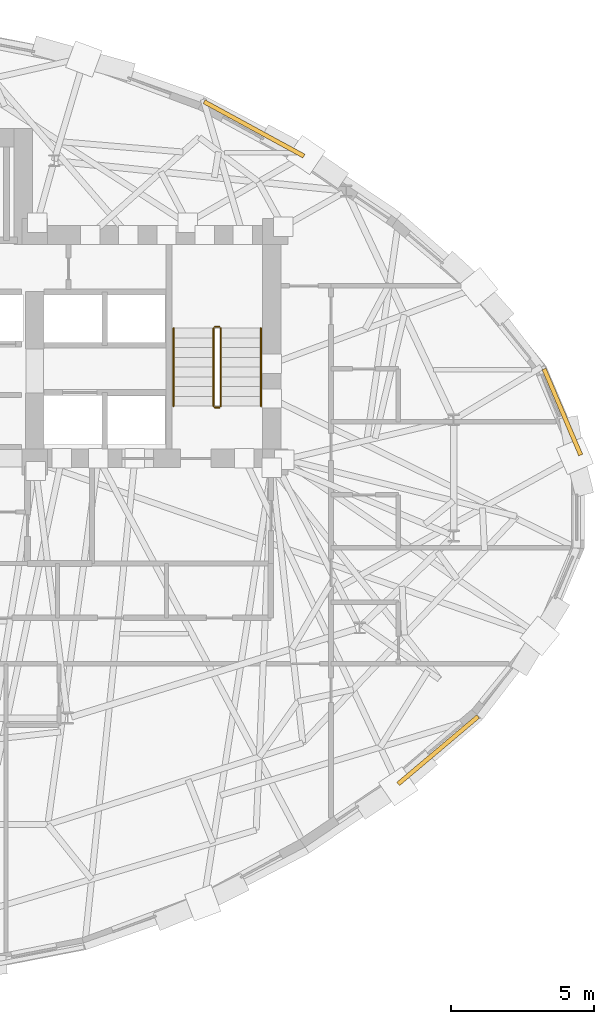
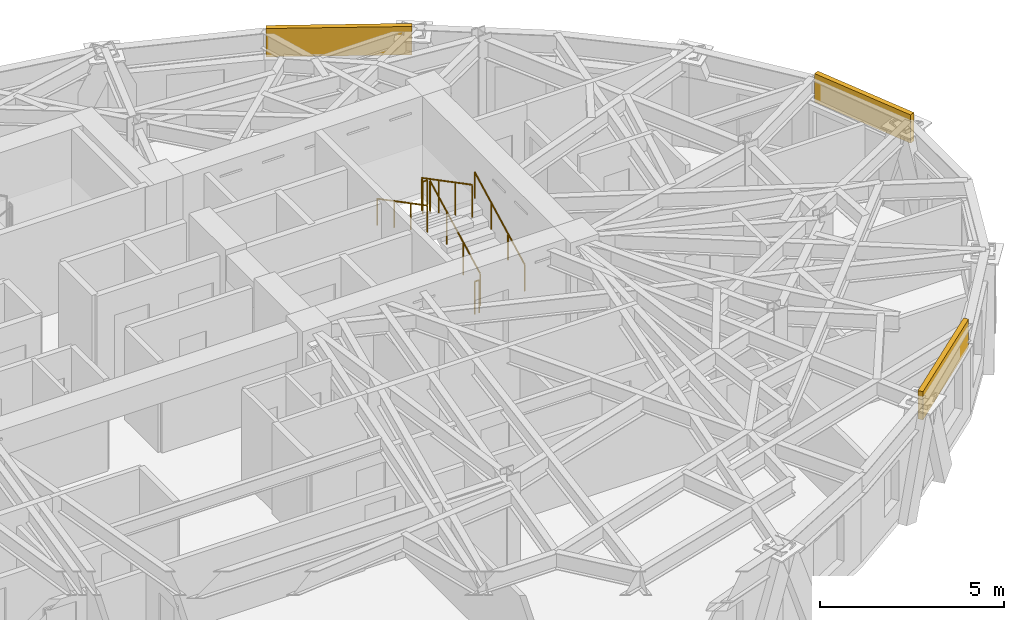
# One storey, part 13 of 14: 6 railings, 3 coverings.
"""IFC4 building model written with IfcOpenShell, lengths in metres."""

from ifc_helpers import new_model, si_unit, direction, frame, origin, origin_2d, place, context, subcontext, project, spatial, rectangle, circle, extrude, material, layer, layer_set, type_object, element, save


model = new_model("IFC4")

# Units and contexts
model_context = context("Model", 3, precision=1e-05, world=origin(), true_north=direction((0.0, 1.0)))
body_context = subcontext(model_context, "Body", "Model", "MODEL_VIEW")
ifc_project = project(units=[si_unit("LENGTHUNIT", "METRE"), si_unit("AREAUNIT", "SQUARE_METRE"), si_unit("VOLUMEUNIT", "CUBIC_METRE"), si_unit("PLANEANGLEUNIT", "RADIAN"), si_unit("MASSUNIT", "GRAM", prefix="KILO")], contexts=[model_context])

# Site, building, storey
site_placement = place(None, origin())
site = spatial("IfcSite", under=ifc_project, at=site_placement, CompositionType="ELEMENT")
building_placement = place(site_placement, origin())
building = spatial("IfcBuilding", under=site, at=building_placement, Name="Keldmark Tower", CompositionType="ELEMENT")
storey_placement = place(building_placement, frame((0.0, 0.0, 191.800048828125)))
storey = spatial("IfcBuildingStorey", under=building, at=storey_placement, Name="L53", CompositionType="ELEMENT", Elevation=191.800048828125)

# Coverings
ifc_material_1 = material(Name="Honed Kasota Buff Dolomitic Limestone", Category="masonry")
ifc_layer = layer(ifc_material_1, 0.074951171875)
ifc_layer_set = layer_set([ifc_layer], Name="Honed Kasota Buff Dolomitic Limestone")
covering_type = type_object("IfcCoveringType", Name="Kasota Buff Limestone Spandrel Cladding Band", PredefinedType="CLADDING", material=ifc_layer_set)
covering_1_placement = place(storey_placement, frame((23.629638671875, 3.143310546875, 2.239013671875), z_axis=(0.0, 0.0, 1.0), x_axis=(-0.391550331455, 0.920156692057, 0.0)))
element("IfcCovering", 1, at=covering_1_placement, inside=storey, type_object=covering_type, Name="L53 Kasota Limestone Spandrel Band 01", PredefinedType="CLADDING", context=body_context, shape_type="SweptSolid", body=[
    extrude(rectangle(XDim=3.265380859375, YDim=0.14990234375, at=origin_2d()), origin(), (0.0, 0.0, 1.0), 0.94091796875),
])
covering_2_placement = place(storey_placement, frame((12.860595703125, 13.029541015625, 2.239013671875), z_axis=(0.0, 0.0, 1.0), x_axis=(-0.878166715179, 0.4783547014, 0.0)))
element("IfcCovering", 2, at=covering_2_placement, inside=storey, type_object=covering_type, Name="L53 Kasota Limestone Spandrel Band 05", PredefinedType="CLADDING", context=body_context, shape_type="SweptSolid", body=[
    extrude(rectangle(XDim=3.965087890625, YDim=0.14990234375, at=origin_2d()), origin(), (0.0, 0.0, 1.0), 0.94091796875),
])
covering_3_placement = place(storey_placement, frame((19.29052734375, -8.67041015625, 2.239013671875), z_axis=(0.0, 0.0, 1.0), x_axis=(0.764291479286, 0.644870944213, 0.0)))
element("IfcCovering", 3, at=covering_3_placement, inside=storey, type_object=covering_type, Name="L53 Kasota Limestone Spandrel Band 29", PredefinedType="CLADDING", context=body_context, shape_type="SweptSolid", body=[
    extrude(rectangle(XDim=3.651611328125, YDim=0.14990234375, at=origin_2d()), origin(), (0.0, 0.0, 1.0), 0.94091796875),
])

# Railings
ifc_material_2 = material(Name="Painted Steel ASTM A500 Grade B", Category="steel")
railing_type_1 = type_object("IfcRailingType", Name="Painted Steel Stair Well Guard 1100 mm", PredefinedType="GUARDRAIL", material=ifc_material_2)
railing_1_placement = place(storey_placement, frame((11.699951171875, 3.35009765625, 0.177734375)))
element("IfcRailing", 4, at=railing_1_placement, inside=storey, type_object=railing_type_1, Name="L53 ST2 stair guard 1", PredefinedType="GUARDRAIL", context=body_context, shape_type="SweptSolid", body=[
    extrude(circle(Radius=0.02392578125, at=origin_2d()), frame((0.0, 0.0, 1.076171875), z_axis=(0.0, 0.886183135912, 0.463335137482), x_axis=(-1.0, 0.0, 0.0)), (0.0, 0.0, 1.0), 3.0693359375),
    extrude(circle(Radius=0.02099609375, at=origin_2d()), origin(), (0.0, 0.0, 1.0), 1.052001953125),
    extrude(circle(Radius=0.02099609375, at=origin_2d()), frame((0.0, 0.90673828125, 0.47412109375)), (0.0, 0.0, 1.0), 1.052001953125),
    extrude(circle(Radius=0.02099609375, at=origin_2d()), frame((0.0, 1.813232421875, 0.947998046875)), (0.0, 0.0, 1.0), 1.052001953125),
    extrude(circle(Radius=0.02099609375, at=origin_2d()), frame((0.0, 2.719970703125, 1.422119140625)), (0.0, 0.0, 1.0), 1.052001953125),
])
railing_2_placement = place(storey_placement, frame((11.64990234375, 6.1201171875, 1.599853515625)))
element("IfcRailing", 5, at=railing_2_placement, inside=storey, type_object=railing_type_1, Name="L53 ST2 stair guard 2", PredefinedType="GUARDRAIL", context=body_context, shape_type="SweptSolid", body=[
    extrude(circle(Radius=0.02392578125, at=origin_2d()), frame((0.0, 0.0, 1.076171875), z_axis=(-1.0, 0.0, 0.0), x_axis=(0.0, -1.0, 0.0)), (0.0, 0.0, 1.0), 0.14990234375),
    extrude(circle(Radius=0.02099609375, at=origin_2d()), origin(), (0.0, 0.0, 1.0), 1.052001953125),
    extrude(circle(Radius=0.02099609375, at=origin_2d()), frame((-0.14990234375, 0.0, 0.0)), (0.0, 0.0, 1.0), 1.052001953125),
])
railing_3_placement = place(storey_placement, frame((11.449951171875, 6.070068359375, 1.77783203125)))
element("IfcRailing", 6, at=railing_3_placement, inside=storey, type_object=railing_type_1, Name="L53 ST2 stair guard 3", PredefinedType="GUARDRAIL", context=body_context, shape_type="SweptSolid", body=[
    extrude(circle(Radius=0.02392578125, at=origin_2d()), frame((0.0, 0.0, 1.076171875), z_axis=(0.0, -0.886183135912, 0.463335137482), x_axis=(1.0, 0.0, 0.0)), (0.0, 0.0, 1.0), 3.0693359375),
    extrude(circle(Radius=0.02099609375, at=origin_2d()), origin(), (0.0, 0.0, 1.0), 1.052001953125),
    extrude(circle(Radius=0.02099609375, at=origin_2d()), frame((0.0, -0.90673828125, 0.47412109375)), (0.0, 0.0, 1.0), 1.052001953125),
    extrude(circle(Radius=0.02099609375, at=origin_2d()), frame((0.0, -1.813232421875, 0.947998046875)), (0.0, 0.0, 1.0), 1.052001953125),
    extrude(circle(Radius=0.02099609375, at=origin_2d()), frame((0.0, -2.719970703125, 1.422119140625)), (0.0, 0.0, 1.0), 1.052001953125),
])
railing_4_placement = place(storey_placement, frame((11.64990234375, 3.300048828125, 0.0)))
element("IfcRailing", 7, at=railing_4_placement, inside=storey, type_object=railing_type_1, Name="L53 ST2 stair guard 4", PredefinedType="GUARDRAIL", context=body_context, shape_type="SweptSolid", body=[
    extrude(circle(Radius=0.02392578125, at=origin_2d()), frame((0.0, 0.0, 1.076171875), z_axis=(-1.0, 0.0, 0.0), x_axis=(0.0, -1.0, 0.0)), (0.0, 0.0, 1.0), 0.14990234375),
    extrude(circle(Radius=0.02099609375, at=origin_2d()), origin(), (0.0, 0.0, 1.0), 1.052001953125),
    extrude(circle(Radius=0.02099609375, at=origin_2d()), frame((-0.14990234375, 0.0, 0.0)), (0.0, 0.0, 1.0), 1.052001953125),
])
ifc_material_3 = material(Name="Stainless Steel AISI 316L", Category="steel")
railing_type_2 = type_object("IfcRailingType", Name="Stainless Steel Stair Handrail 900 mm", PredefinedType="HANDRAIL", material=ifc_material_3)
railing_5_placement = place(storey_placement, frame((13.10009765625, 3.35009765625, 0.177734375)))
element("IfcRailing", 8, at=railing_5_placement, inside=storey, type_object=railing_type_2, Name="L53 ST2 stair handrail 1", PredefinedType="HANDRAIL", context=body_context, shape_type="SweptSolid", body=[
    extrude(circle(Radius=0.02392578125, at=origin_2d()), frame((0.0, 0.0, 0.8759765625), z_axis=(0.0, 0.886183135912, 0.463335137482), x_axis=(-1.0, 0.0, 0.0)), (0.0, 0.0, 1.0), 3.0693359375),
    extrude(circle(Radius=0.02099609375, at=origin_2d()), origin(), (0.0, 0.0, 1.0), 0.851806640625),
    extrude(circle(Radius=0.02099609375, at=origin_2d()), frame((0.0, 0.90673828125, 0.47412109375)), (0.0, 0.0, 1.0), 0.851806640625),
    extrude(circle(Radius=0.02099609375, at=origin_2d()), frame((0.0, 1.813232421875, 0.947998046875)), (0.0, 0.0, 1.0), 0.851806640625),
    extrude(circle(Radius=0.02099609375, at=origin_2d()), frame((0.0, 2.719970703125, 1.422119140625)), (0.0, 0.0, 1.0), 0.851806640625),
])
railing_6_placement = place(storey_placement, frame((10.050048828125, 6.070068359375, 1.77783203125)))
element("IfcRailing", 9, at=railing_6_placement, inside=storey, type_object=railing_type_2, Name="L53 ST2 stair handrail 2", PredefinedType="HANDRAIL", context=body_context, shape_type="SweptSolid", body=[
    extrude(circle(Radius=0.02392578125, at=origin_2d()), frame((0.0, 0.0, 0.8759765625), z_axis=(0.0, -0.886183135912, 0.463335137482), x_axis=(1.0, 0.0, 0.0)), (0.0, 0.0, 1.0), 3.0693359375),
    extrude(circle(Radius=0.02099609375, at=origin_2d()), origin(), (0.0, 0.0, 1.0), 0.851806640625),
    extrude(circle(Radius=0.02099609375, at=origin_2d()), frame((0.0, -0.90673828125, 0.47412109375)), (0.0, 0.0, 1.0), 0.851806640625),
    extrude(circle(Radius=0.02099609375, at=origin_2d()), frame((0.0, -1.813232421875, 0.947998046875)), (0.0, 0.0, 1.0), 0.851806640625),
    extrude(circle(Radius=0.02099609375, at=origin_2d()), frame((0.0, -2.719970703125, 1.422119140625)), (0.0, 0.0, 1.0), 0.851806640625),
])

save(model, "model.ifc")
